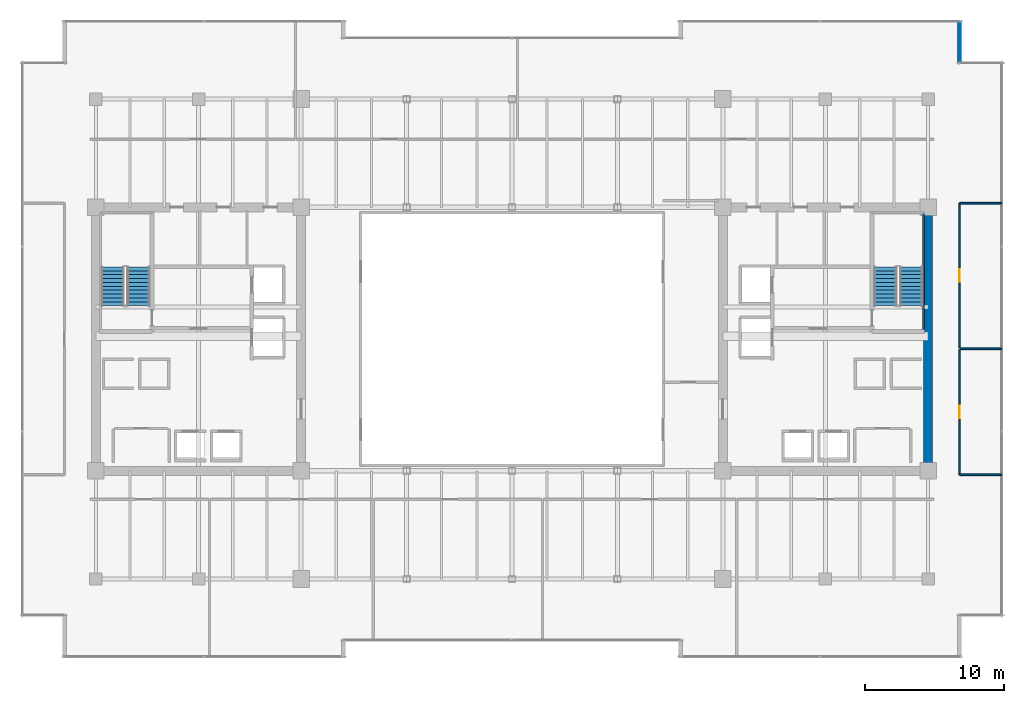
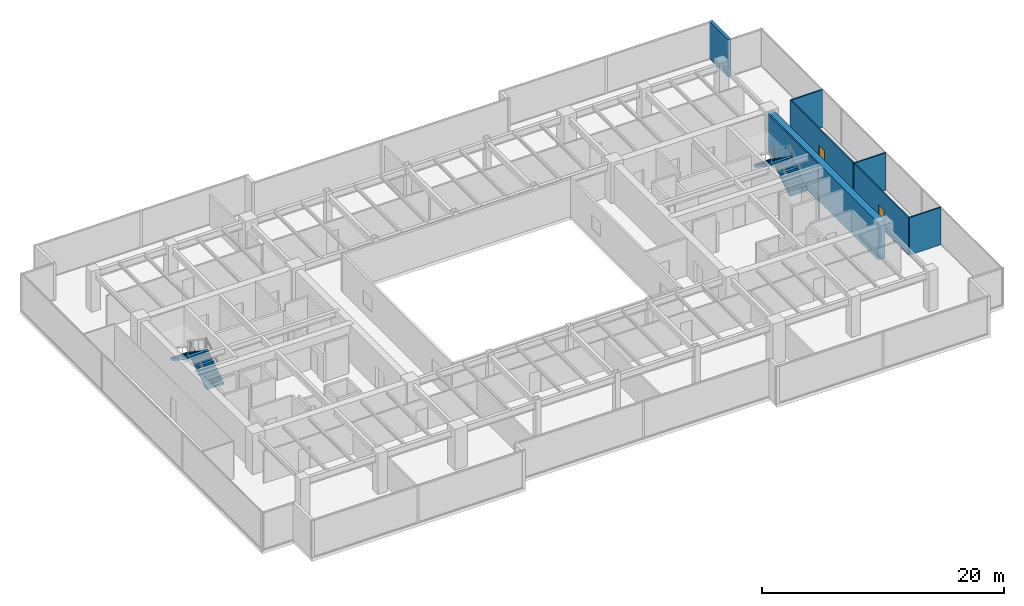
# One storey, part 28 of 30: 8 walls, 4 stair flights, 2 doors, 2 openings, 2 elements without a shape of their own.
"""IFC4 building model written with IfcOpenShell, lengths in metres."""

from ifc_helpers import new_model, si_unit, direction, frame, frame_2d, origin, place, context, subcontext, project, spatial, polyline, rectangle, outline, extrude, source, transform, mapped, material, layer, layer_set, type_object, type_shapes, element, fill, aggregate, save


model = new_model("IFC4")

# Units and contexts
model_context = context("Model", 3, precision=1e-05, world=origin(), true_north=direction((0.0, 1.0)))
body_context = subcontext(model_context, "Body", "Model", "MODEL_VIEW")
ifc_project = project(units=[si_unit("LENGTHUNIT", "METRE"), si_unit("AREAUNIT", "SQUARE_METRE"), si_unit("VOLUMEUNIT", "CUBIC_METRE"), si_unit("PLANEANGLEUNIT", "RADIAN"), si_unit("MASSUNIT", "GRAM", prefix="KILO")], contexts=[model_context])

# Site, building, storey
site_placement = place(None, origin())
site = spatial("IfcSite", under=ifc_project, at=site_placement, CompositionType="ELEMENT")
building_placement = place(site_placement, origin())
building = spatial("IfcBuilding", under=site, at=building_placement, Name="Haelvirn Gate Laboratories", CompositionType="ELEMENT")
storey_placement = place(building_placement, frame((0.0, 0.0, 183.0)))
storey = spatial("IfcBuildingStorey", under=building, at=storey_placement, Name="L44", CompositionType="ELEMENT", Elevation=183.0)

# Walls
ifc_material_1 = material(Name="Thermally-broken bronze aluminium rainscreen & mineral wool", Category="aluminium")
ifc_layer_1 = layer(ifc_material_1, 0.280029296875, Name="EW-TERR-280")
ifc_layer_set_1 = layer_set([ifc_layer_1], Name="Thermally-broken bronze aluminium rainscreen & mineral wool")
wall_type_1 = type_object("IfcWallType", Name="EW-TERR-280", PredefinedType="STANDARD", material=ifc_layer_set_1)
wall_1_placement = place(storey_placement, frame((69.659912109375, 44.2119140625, 0.0), z_axis=(0.0, 0.0, 1.0), x_axis=(0.0, 1.0, 0.0)))
element("IfcWall", 1, at=wall_1_placement, inside=storey, type_object=wall_type_1, Name="L44 Atrium Recess Bronze Return Wall 09", PredefinedType="STANDARD", context=body_context, shape_type="SweptSolid", body=[
    extrude(rectangle(XDim=3.088134765625, YDim=0.280029296875, at=frame_2d((1.5439453125, 0.0))), origin(), (0.0, 0.0, 1.0), 3.7900390625),
])
ifc_material_2 = material(Name="Lightweight acoustic gypsum board partition", Category="gypsum")
ifc_layer_2 = layer(ifc_material_2, 0.1201171875, Name="IW-PART-120")
ifc_layer_set_2 = layer_set([ifc_layer_2], Name="Lightweight acoustic gypsum board partition")
wall_type_2 = type_object("IfcWallType", Name="IW-PART-120", PredefinedType="PARTITIONING", material=ifc_layer_set_2)
for number, where, z_axis, x_axis, name in (
    (2, (69.669921875, 14.514892578125, 0.0), (0.0, 0.0, 1.0), (1.0, 0.0, 0.0), "L44 Interior Wall IW-L44-ECAP-S"),
    (3, (69.669921875, 34.0849609375, 0.0), (0.0, 0.0, 1.0), (1.0, 0.0, 0.0), "L44 Interior Wall IW-L44-ECAP-N"),
):
    element("IfcWall", number, at=place(storey_placement, frame(where, z_axis=z_axis, x_axis=x_axis)), inside=storey, type_object=wall_type_2, Name=name, PredefinedType="PARTITIONING", context=body_context, shape_type="SweptSolid", body=[
        extrude(rectangle(XDim=3.02001953125, YDim=0.1201171875, at=frame_2d((1.510009765625, 0.0))), origin(), (0.0, 0.0, 1.0), 3.7900390625),
    ])

# Wall, opening, door
wall_2_placement = place(storey_placement, frame((69.669921875, 14.514892578125, 0.0), z_axis=(0.0, 0.0, 1.0), x_axis=(0.0, 1.0, 0.0)))
wall_2 = element("IfcWall", 4, at=wall_2_placement, inside=storey, type_object=wall_type_2, Name="L44 Interior Wall IW-L44-EPASS-01", PredefinedType="PARTITIONING", context=body_context, shape_type="SweptSolid", body=[
    extrude(rectangle(XDim=9.025146484375, YDim=0.1201171875, at=frame_2d((4.5126953125, 0.0))), origin(), (0.0, 0.0, 1.0), 3.7900390625),
])
opening_1_placement = place(wall_2_placement, frame((4.0625, 0.0, 0.0)))
opening_1 = element("IfcOpeningElement", 5, at=opening_1_placement, cuts=wall_2, Name="Opening D4", PredefinedType="OPENING", context=body_context, shape_type="SweptSolid", body=[
    extrude(rectangle(XDim=0.89990234375, YDim=2.10009765625, at=frame_2d((0.449951171875, 1.050048828125))), frame((0.0, 0.070068359375, 0.0), z_axis=(0.0, -1.0, 0.0), x_axis=(1.0, 0.0, 0.0)), (0.0, 0.0, 1.0), 0.14013671875),
])
ifc_material_3 = material(Name="Glazed aluminium-framed write-up door", Category="aluminium")
door_type = type_object("IfcDoorType", Name="DR-OFF-900", OperationType="NOTDEFINED", PredefinedType="DOOR", material=ifc_material_3)
shared_shape_1 = source(origin(), body_context, "Body", "SweptSolid", [
    extrude(rectangle(XDim=0.89990234375, YDim=2.10009765625, at=frame_2d((0.449951171875, 1.050048828125))), frame((0.0, 0.02490234375, 0.0), z_axis=(0.0, -1.0, 0.0), x_axis=(1.0, 0.0, 0.0)), (0.0, 0.0, 1.0), 0.050048828125),
])
type_shapes(door_type, [shared_shape_1])
door_1_placement = place(opening_1_placement, origin())
door_1 = element("IfcDoor", 6, at=door_1_placement, inside=storey, type_object=door_type, Name="L44 Protocol Briefing Training Room Door E1", OperationType="SINGLE_SWING_LEFT", OverallHeight=2.10009765625, OverallWidth=0.89990234375, PredefinedType="DOOR", context=body_context, shape_type="MappedRepresentation", body=[
    mapped(shared_shape_1, transform((0.0, 0.0, 0.0), scale=1.0)),
])
fill(opening_1, door_1)

# Wall
wall_3_placement = place(storey_placement, frame((69.669921875, 23.60009765625, 0.0), z_axis=(0.0, 0.0, 1.0), x_axis=(1.0, 0.0, 0.0)))
element("IfcWall", 7, at=wall_3_placement, inside=storey, type_object=wall_type_2, Name="L44 Interior Wall IW-L44-EDIV-01", PredefinedType="PARTITIONING", context=body_context, shape_type="SweptSolid", body=[
    extrude(rectangle(XDim=3.02001953125, YDim=0.1201171875, at=frame_2d((1.510009765625, 0.0))), origin(), (0.0, 0.0, 1.0), 3.7900390625),
])

# Wall, opening, door
wall_4_placement = place(storey_placement, frame((69.669921875, 23.659912109375, 0.0), z_axis=(0.0, 0.0, 1.0), x_axis=(0.0, 1.0, 0.0)))
wall_4 = element("IfcWall", 8, at=wall_4_placement, inside=storey, type_object=wall_type_2, Name="L44 Interior Wall IW-L44-EPASS-02", PredefinedType="PARTITIONING", context=body_context, shape_type="SweptSolid", body=[
    extrude(rectangle(XDim=10.425048828125, YDim=0.1201171875, at=frame_2d((5.21240234375, 0.0))), origin(), (0.0, 0.0, 1.0), 3.7900390625),
])
opening_2_placement = place(wall_4_placement, frame((4.762451171875, 0.0, 0.0)))
opening_2 = element("IfcOpeningElement", 9, at=opening_2_placement, cuts=wall_4, Name="Opening D4", PredefinedType="OPENING", context=body_context, shape_type="SweptSolid", body=[
    extrude(rectangle(XDim=0.89990234375, YDim=2.10009765625, at=frame_2d((0.449951171875, 1.050048828125))), frame((0.0, 0.070068359375, 0.0), z_axis=(0.0, -1.0, 0.0), x_axis=(1.0, 0.0, 0.0)), (0.0, 0.0, 1.0), 0.14013671875),
])
door_2_placement = place(opening_2_placement, origin())
door_2 = element("IfcDoor", 10, at=door_2_placement, inside=storey, type_object=door_type, Name="L44 Researcher Break Pantry Door E2", OperationType="SINGLE_SWING_RIGHT", OverallHeight=2.10009765625, OverallWidth=0.89990234375, PredefinedType="DOOR", context=body_context, shape_type="MappedRepresentation", body=[
    mapped(shared_shape_1, transform((0.0, 0.0, 0.0), scale=1.0)),
])
fill(opening_2, door_2)

# Walls
ifc_material_4 = material(Name="Concrete C60/75", Category="concrete")
ifc_layer_3 = layer(ifc_material_4, 0.64990234375, Name="SW-CORE-650")
ifc_layer_set_3 = layer_set([ifc_layer_3], Name="Concrete C60/75")
wall_type_3 = type_object("IfcWallType", Name="SW-CORE-650", PredefinedType="SHEAR", material=ifc_layer_set_3)
wall_5_placement = place(storey_placement, frame((67.39990234375, 15.125, 0.0), z_axis=(0.0, 0.0, 1.0), x_axis=(0.0, 1.0, 0.0)))
element("IfcWall", 11, at=wall_5_placement, inside=storey, type_object=wall_type_3, Name="L44 E Core Shear Wall E", PredefinedType="SHEAR", context=body_context, shape_type="SweptSolid", body=[
    extrude(rectangle(XDim=18.35009765625, YDim=0.64990234375, at=frame_2d((9.175048828125, 0.0))), origin(), (0.0, 0.0, 1.0), 3.7900390625),
])
ifc_material_5 = material(Name="Concrete C50/60", Category="concrete")
ifc_layer_4 = layer(ifc_material_5, 0.1201171875, Name="SW-LINER-120")
ifc_layer_set_4 = layer_set([ifc_layer_4], Name="Concrete C50/60")
wall_type_4 = type_object("IfcWallType", Name="SW-LINER-120", PredefinedType="SOLIDWALL", material=ifc_layer_set_4)
wall_6_placement = place(storey_placement, frame((67.070068359375, 25.0, 0.0), z_axis=(0.0, 0.0, 1.0), x_axis=(0.0, 1.0, 0.0)))
element("IfcWall", 12, at=wall_6_placement, inside=storey, type_object=wall_type_4, Name="L44 E Core Stair Shaft Liner Wall OUT", PredefinedType="SOLIDWALL", context=body_context, shape_type="SweptSolid", body=[
    extrude(rectangle(XDim=8.320068359375, YDim=0.1201171875, at=frame_2d((4.16015625, 0.0))), origin(), (0.0, 0.0, 1.0), 3.7900390625),
])

# Stair, stair flights
ifc_material_6 = material(Name="Concrete C40/50", Category="concrete")
stair_type = type_object("IfcStairType", Name="ST-DOG-1650-R22", PredefinedType="HALF_TURN_STAIR", material=ifc_material_6)
stair_1_placement = place(storey_placement, origin())
stair_1 = element("IfcStair", 13, at=stair_1_placement, inside=storey, type_object=stair_type, Name="L44 Escape Stair ST1", PredefinedType="HALF_TURN_STAIR")
stair_flight_type = type_object("IfcStairFlightType", Name="STF-1650-R11", PredefinedType="STRAIGHT", material=ifc_material_6)
shared_shape_2 = source(origin(), body_context, "Body", "SweptSolid", [
    extrude(outline(polyline([(0.0, 0.0), (0.0, 0.186279296875), (0.280029296875, 0.186279296875), (0.280029296875, 0.372802734375), (0.56005859375, 0.372802734375), (0.56005859375, 0.55908203125), (0.840087890625, 0.55908203125), (0.840087890625, 0.745361328125), (1.1201171875, 0.745361328125), (1.1201171875, 0.931884765625), (1.39990234375, 0.931884765625), (1.39990234375, 1.1181640625), (1.679931640625, 1.1181640625), (1.679931640625, 1.304443359375), (1.9599609375, 1.304443359375), (1.9599609375, 1.490966796875), (2.239990234375, 1.490966796875), (2.239990234375, 1.67724609375), (2.52001953125, 1.67724609375), (2.52001953125, 1.863525390625), (2.800048828125, 1.863525390625), (2.800048828125, 2.050048828125), (2.800048828125, 1.671630859375), (0.28857421875, 0.0), (0.0, 0.0)])), frame((0.0, 0.824951171875, 0.0), z_axis=(0.0, -1.0, 0.0), x_axis=(1.0, 0.0, 0.0)), (0.0, 0.0, 1.0), 1.64990234375),
])
type_shapes(stair_flight_type, [shared_shape_2])
stair_flight_1_placement = place(storey_placement, frame((10.47509765625, 26.699951171875, 0.0), z_axis=(0.0, 0.0, 1.0), x_axis=(0.0, 1.0, 0.0)))
stair_flight_1 = element("IfcStairFlight", 14, at=stair_flight_1_placement, type_object=stair_flight_type, Name="ST1 flight 1", NumberOfRisers=11, NumberOfTreads=10, PredefinedType="STRAIGHT", RiserHeight=0.186363636, TreadLength=0.28, context=body_context, shape_type="MappedRepresentation", body=[
    mapped(shared_shape_2, transform((0.0, 0.0, 0.0), scale=1.0)),
])
stair_flight_2_placement = place(storey_placement, frame((8.625, 29.5, 2.050048828125), z_axis=(0.0, 0.0, 1.0), x_axis=(0.0, -1.0, 0.0)))
stair_flight_2 = element("IfcStairFlight", 15, at=stair_flight_2_placement, type_object=stair_flight_type, Name="ST1 flight 2", NumberOfRisers=11, NumberOfTreads=10, PredefinedType="STRAIGHT", RiserHeight=0.186363636, TreadLength=0.28, context=body_context, shape_type="MappedRepresentation", body=[
    mapped(shared_shape_2, transform((0.0, 0.0, 0.0), scale=1.0)),
])
aggregate(stair_1, [stair_flight_1, stair_flight_2])

stair_2_placement = place(storey_placement, origin())
stair_2 = element("IfcStair", 16, at=stair_2_placement, inside=storey, type_object=stair_type, Name="L44 Escape Stair ST2", PredefinedType="HALF_TURN_STAIR")
stair_flight_3_placement = place(storey_placement, frame((66.175048828125, 26.699951171875, 0.0), z_axis=(0.0, 0.0, 1.0), x_axis=(0.0, 1.0, 0.0)))
stair_flight_3 = element("IfcStairFlight", 17, at=stair_flight_3_placement, type_object=stair_flight_type, Name="ST2 flight 1", NumberOfRisers=11, NumberOfTreads=10, PredefinedType="STRAIGHT", RiserHeight=0.186363636, TreadLength=0.28, context=body_context, shape_type="MappedRepresentation", body=[
    mapped(shared_shape_2, transform((0.0, 0.0, 0.0), scale=1.0)),
])
stair_flight_4_placement = place(storey_placement, frame((64.324951171875, 29.5, 2.050048828125), z_axis=(0.0, 0.0, 1.0), x_axis=(0.0, -1.0, 0.0)))
stair_flight_4 = element("IfcStairFlight", 18, at=stair_flight_4_placement, type_object=stair_flight_type, Name="ST2 flight 2", NumberOfRisers=11, NumberOfTreads=10, PredefinedType="STRAIGHT", RiserHeight=0.186363636, TreadLength=0.28, context=body_context, shape_type="MappedRepresentation", body=[
    mapped(shared_shape_2, transform((0.0, 0.0, 0.0), scale=1.0)),
])
aggregate(stair_2, [stair_flight_3, stair_flight_4])

save(model, "model.ifc")
